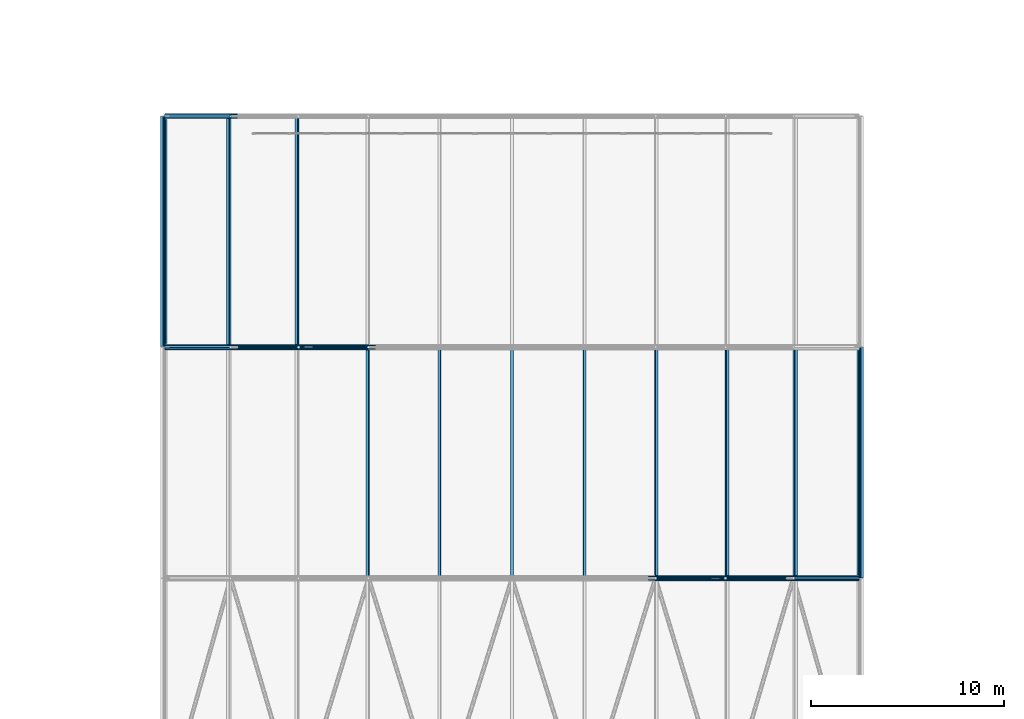
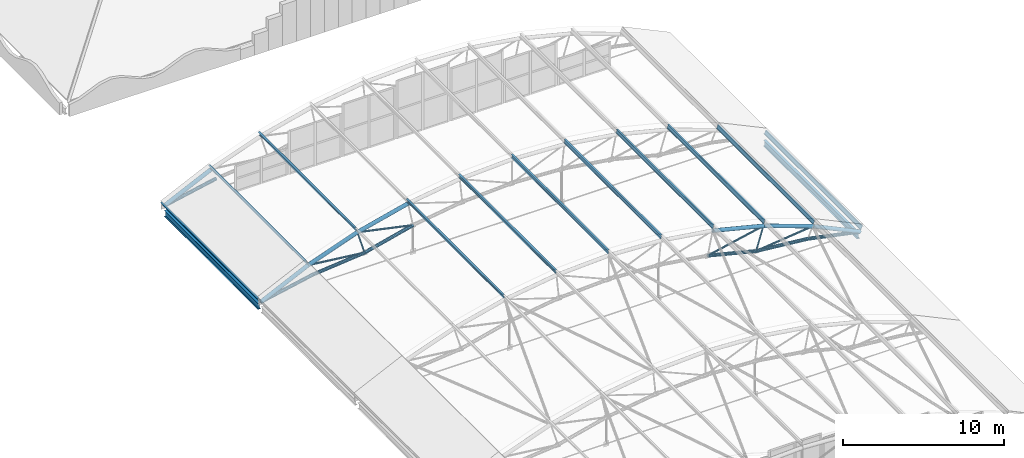
# One storey, part 216 of 321: 31 members, 2 beams.
"""IFC4 building model written with IfcOpenShell, lengths in metres."""

from ifc_helpers import new_model, si_unit, direction, frame, origin, origin_2d, place, context, subcontext, project, spatial, hollow_circle, i_section, extrude, material, material_profile, profile_set, type_object, element, save


model = new_model("IFC4")

# Units and contexts
model_context = context("Model", 3, precision=1e-05, world=origin(), true_north=direction((0.0, 1.0)))
body_context = subcontext(model_context, "Body", "Model", "MODEL_VIEW")
ifc_project = project(units=[si_unit("LENGTHUNIT", "METRE"), si_unit("AREAUNIT", "SQUARE_METRE"), si_unit("VOLUMEUNIT", "CUBIC_METRE"), si_unit("PLANEANGLEUNIT", "RADIAN"), si_unit("MASSUNIT", "GRAM", prefix="KILO")], contexts=[model_context])

# Site, building, storey
site_placement = place(None, origin())
site = spatial("IfcSite", under=ifc_project, at=site_placement, CompositionType="ELEMENT")
building_placement = place(site_placement, origin())
building = spatial("IfcBuilding", under=site, at=building_placement, Name="Ravi Spectrum Wholesale Market", CompositionType="ELEMENT")
storey_placement = place(building_placement, frame((0.0, 0.0, 10.800048828125)))
storey = spatial("IfcBuildingStorey", under=building, at=storey_placement, Name="L02", CompositionType="ELEMENT", Elevation=10.800048828125)

# Members
ifc_material_1 = material(Name="Steel S355", Category="steel")
ifc_material_profile_1 = material_profile(ifc_material_1, hollow_circle(Radius=0.05712890625, WallThickness=0.00390625, at=origin_2d()))
ifc_profile_set_1 = profile_set([ifc_material_profile_1], Name="Steel S355")
member_type_1 = type_object("IfcMemberType", Name="CHS 114.3x4 post", PredefinedType="POST", material=ifc_profile_set_1)
for number, where, z_axis, x_axis, name in (
    (1, (191.083251953125, 162.0, 2.859130859375), (-0.28969871245, 0.0, -0.957117890338), (0.0, -1.0, 0.0), "H3-MB-L02-108"),
    (2, (168.916748046875, 174.0, 2.859130859375), (0.28969871245, 0.0, -0.957117890338), (0.0, 1.0, 0.0), "H3-MB-L02-142"),
):
    element("IfcMember", number, at=place(storey_placement, frame(where, z_axis=z_axis, x_axis=x_axis)), inside=storey, type_object=member_type_1, Name=name, PredefinedType="POST", context=body_context, shape_type="SweptSolid", body=[
        extrude(hollow_circle(Radius=0.05712890625, WallThickness=0.00390625, at=origin_2d()), origin(), (0.0, 0.0, 1.0), 1.800048828125),
    ])
ifc_material_2 = material(Name="Steel S355", Category="steel")
ifc_material_profile_2 = material_profile(ifc_material_2, hollow_circle(Radius=0.06982421875, WallThickness=0.0048828125, at=origin_2d()))
ifc_profile_set_2 = profile_set([ifc_material_profile_2], Name="Steel S355")
member_type_2 = type_object("IfcMemberType", Name="CHS 139.7x5 brace", PredefinedType="BRACE", material=ifc_profile_set_2)
for number, where, z_axis, x_axis, name in (
    (3, (191.083251953125, 162.0, 2.859130859375), (-0.977654929292, 0.0, -0.210216172618), (0.0, -1.0, 0.0), "H3-MB-L02-116"),
    (4, (194.61181640625, 162.0, 1.59912109375), (-0.993531900469, 0.0, -0.113553347597), (0.0, -1.0, 0.0), "H3-MB-L02-117"),
    (5, (165.38818359375, 174.0, 1.59912109375), (0.993531900469, 0.0, -0.113553347597), (0.0, 1.0, 0.0), "H3-MB-L02-150"),
    (6, (168.916748046875, 174.0, 2.859130859375), (0.977654929292, 0.0, -0.210216172618), (0.0, 1.0, 0.0), "H3-MB-L02-151"),
):
    element("IfcMember", number, at=place(storey_placement, frame(where, z_axis=z_axis, x_axis=x_axis)), inside=storey, type_object=member_type_2, Name=name, PredefinedType="BRACE", context=body_context, shape_type="SweptSolid", body=[
        extrude(hollow_circle(Radius=0.06982421875, WallThickness=0.0048828125, at=origin_2d()), origin(), (0.0, 0.0, 1.0), 4.076416015625),
    ])
ifc_material_3 = material(Name="Steel S355", Category="steel")
ifc_material_profile_3 = material_profile(ifc_material_3, hollow_circle(Radius=0.122314453125, WallThickness=0.008056640625, at=origin_2d()))
ifc_profile_set_3 = profile_set([ifc_material_profile_3], Name="Steel S355")
member_type_3 = type_object("IfcMemberType", Name="CHS 244.5x8 chord", PredefinedType="CHORD", material=ifc_profile_set_3)
member_1_placement = place(storey_placement, frame((187.097900390625, 162.0, 2.002197265625), z_axis=(0.970142500145, 0.0, -0.242535625036), x_axis=(0.0, 1.0, 0.0)))
element("IfcMember", 7, at=member_1_placement, inside=storey, type_object=member_type_3, Name="H3-MB-L02-098", PredefinedType="CHORD", context=body_context, shape_type="SweptSolid", body=[
    extrude(hollow_circle(Radius=0.122314453125, WallThickness=0.008056640625, at=origin_2d()), origin(), (0.0, 0.0, 1.0), 3.570556640625),
])
member_2_placement = place(storey_placement, frame((190.561767578125, 162.0, 1.13623046875), z_axis=(0.995082518714, 0.0, -0.099049386415), x_axis=(0.0, 1.0, 0.0)))
element("IfcMember", 8, at=member_2_placement, inside=storey, type_object=member_type_3, Name="H3-MB-L02-099", PredefinedType="CHORD", context=body_context, shape_type="SweptSolid", body=[
    extrude(hollow_circle(Radius=0.122314453125, WallThickness=0.008056640625, at=origin_2d()), origin(), (0.0, 0.0, 1.0), 3.724365234375),
])
for number, where, z_axis, x_axis, name in (
    (9, (194.267822265625, 162.0, 0.767333984375), (0.979511723372, 0.0, -0.201387148987), (0.0, 1.0, 0.0), "H3-MB-L02-100"),
    (10, (162.0, 174.0, 0.0), (0.979511723372, 0.0, 0.201387148987), (0.0, 1.0, 0.0), "H3-MB-L02-131"),
):
    element("IfcMember", number, at=place(storey_placement, frame(where, z_axis=z_axis, x_axis=x_axis)), inside=storey, type_object=member_type_3, Name=name, PredefinedType="CHORD", context=body_context, shape_type="SweptSolid", body=[
        extrude(hollow_circle(Radius=0.122314453125, WallThickness=0.008056640625, at=origin_2d()), origin(), (0.0, 0.0, 1.0), 3.810302734375),
    ])
member_3_placement = place(storey_placement, frame((165.732177734375, 174.0, 0.767333984375), z_axis=(0.995082518714, 0.0, 0.099049386415), x_axis=(0.0, 1.0, 0.0)))
element("IfcMember", 11, at=member_3_placement, inside=storey, type_object=member_type_3, Name="H3-MB-L02-132", PredefinedType="CHORD", context=body_context, shape_type="SweptSolid", body=[
    extrude(hollow_circle(Radius=0.122314453125, WallThickness=0.008056640625, at=origin_2d()), origin(), (0.0, 0.0, 1.0), 3.724365234375),
])
member_4_placement = place(storey_placement, frame((169.438232421875, 174.0, 1.13623046875), z_axis=(0.970142500145, 0.0, 0.242535625036), x_axis=(0.0, 1.0, 0.0)))
element("IfcMember", 12, at=member_4_placement, inside=storey, type_object=member_type_3, Name="H3-MB-L02-133", PredefinedType="CHORD", context=body_context, shape_type="SweptSolid", body=[
    extrude(hollow_circle(Radius=0.122314453125, WallThickness=0.008056640625, at=origin_2d()), origin(), (0.0, 0.0, 1.0), 3.570556640625),
])
member_5_placement = place(storey_placement, frame((162.0, 186.0, 0.0), z_axis=(0.979511723372, 0.0, 0.201387148987), x_axis=(0.0, 1.0, 0.0)))
element("IfcMember", 13, at=member_5_placement, inside=storey, type_object=member_type_3, Name="H3-MB-L02-171", PredefinedType="CHORD", context=body_context, shape_type="SweptSolid", body=[
    extrude(hollow_circle(Radius=0.122314453125, WallThickness=0.008056640625, at=origin_2d()), origin(), (0.0, 0.0, 1.0), 3.810302734375),
])
ifc_material_4 = material(Name="Steel S355", Category="steel")
ifc_material_profile_4 = material_profile(ifc_material_4, hollow_circle(Radius=0.136474609375, WallThickness=0.010009765625, at=origin_2d()))
ifc_profile_set_4 = profile_set([ifc_material_profile_4], Name="Steel S355")
member_type_4 = type_object("IfcMemberType", Name="CHS 273x10 chord", PredefinedType="CHORD", material=ifc_profile_set_4)
member_6_placement = place(storey_placement, frame((187.448486328125, 162.0, 3.767822265625), z_axis=(0.970142500145, 0.0, -0.242535625036), x_axis=(0.0, 1.0, 0.0)))
element("IfcMember", 14, at=member_6_placement, inside=storey, type_object=member_type_4, Name="H3-MB-L02-088", PredefinedType="CHORD", context=body_context, shape_type="SweptSolid", body=[
    extrude(hollow_circle(Radius=0.136474609375, WallThickness=0.010009765625, at=origin_2d()), origin(), (0.0, 0.0, 1.0), 3.74658203125),
])
member_7_placement = place(storey_placement, frame((191.083251953125, 162.0, 2.859130859375), z_axis=(0.941758126801, 0.0, -0.336290990965), x_axis=(0.0, 1.0, 0.0)))
element("IfcMember", 15, at=member_7_placement, inside=storey, type_object=member_type_4, Name="H3-MB-L02-089", PredefinedType="CHORD", context=body_context, shape_type="SweptSolid", body=[
    extrude(hollow_circle(Radius=0.136474609375, WallThickness=0.010009765625, at=origin_2d()), origin(), (0.0, 0.0, 1.0), 3.746826171875),
])
for number, where, z_axis, x_axis, name in (
    (16, (194.61181640625, 162.0, 1.59912109375), (0.904336690514, 0.0, -0.426819809978), (0.0, 1.0, 0.0), "H3-MB-L02-090"),
    (17, (162.0, 174.0, 0.0), (0.904336690514, 0.0, 0.426819809978), (0.0, 1.0, 0.0), "H3-MB-L02-121"),
):
    element("IfcMember", number, at=place(storey_placement, frame(where, z_axis=z_axis, x_axis=x_axis)), inside=storey, type_object=member_type_4, Name=name, PredefinedType="CHORD", context=body_context, shape_type="SweptSolid", body=[
        extrude(hollow_circle(Radius=0.136474609375, WallThickness=0.010009765625, at=origin_2d()), origin(), (0.0, 0.0, 1.0), 3.74658203125),
    ])
member_8_placement = place(storey_placement, frame((165.38818359375, 174.0, 1.59912109375), z_axis=(0.941758126801, 0.0, 0.336290990965), x_axis=(0.0, 1.0, 0.0)))
element("IfcMember", 18, at=member_8_placement, inside=storey, type_object=member_type_4, Name="H3-MB-L02-122", PredefinedType="CHORD", context=body_context, shape_type="SweptSolid", body=[
    extrude(hollow_circle(Radius=0.136474609375, WallThickness=0.010009765625, at=origin_2d()), origin(), (0.0, 0.0, 1.0), 3.746826171875),
])
for number, where, z_axis, x_axis, name in (
    (19, (168.916748046875, 174.0, 2.859130859375), (0.970142500145, 0.0, 0.242535625036), (0.0, 1.0, 0.0), "H3-MB-L02-123"),
    (20, (162.0, 186.0, 0.0), (0.904336690514, 0.0, 0.426819809978), (0.0, 1.0, 0.0), "H3-MB-L02-161"),
):
    element("IfcMember", number, at=place(storey_placement, frame(where, z_axis=z_axis, x_axis=x_axis)), inside=storey, type_object=member_type_4, Name=name, PredefinedType="CHORD", context=body_context, shape_type="SweptSolid", body=[
        extrude(hollow_circle(Radius=0.136474609375, WallThickness=0.010009765625, at=origin_2d()), origin(), (0.0, 0.0, 1.0), 3.74658203125),
    ])
ifc_material_5 = material(Name="Steel S355", Category="steel")
ifc_material_profile_5 = material_profile(ifc_material_5, i_section(OverallWidth=0.135009765625, OverallDepth=0.27001953125, WebThickness=0.006591796875, FlangeThickness=0.01025390625, at=origin_2d()))
ifc_profile_set_5 = profile_set([ifc_material_profile_5], Name="Steel S355")
member_type_5 = type_object("IfcMemberType", Name="IPE 270 purlin", PredefinedType="PURLIN", material=ifc_profile_set_5)
for number, where, z_axis, x_axis, name in (
    (21, (172.498779296875, 162.0, 4.033935546875), (0.0, 1.0, 0.0), (-0.980856735855, 0.0, -0.194730746744), "H3-MB-L02-226"),
    (22, (176.231201171875, 162.0, 4.586669921875), (0.0, 1.0, 0.0), (-0.995202677663, 0.0, -0.097834709449), "H3-MB-L02-227"),
    (23, (180.0, 162.0, 4.771484375), (0.0, 1.0, 0.0), (-1.0, 0.0, 0.0), "H3-MB-L02-228"),
    (24, (183.768798828125, 162.0, 4.586669921875), (0.0, 1.0, 0.0), (-0.995202677663, 0.0, 0.097834709449), "H3-MB-L02-229"),
    (25, (187.501220703125, 162.0, 4.033935546875), (0.0, 1.0, 0.0), (-0.980856735855, 0.0, 0.194730746744), "H3-MB-L02-230"),
    (26, (191.161865234375, 162.0, 3.118896484375), (0.0, 1.0, 0.0), (-0.957099823898, 0.0, 0.289758394347), "H3-MB-L02-231"),
    (27, (194.71533203125, 162.0, 1.85009765625), (0.0, 1.0, 0.0), (-0.924159872545, 0.0, 0.382005929244), "H3-MB-L02-232"),
    (28, (198.127685546875, 162.0, 0.239501953125), (0.0, 1.0, 0.0), (-0.88235294065, 0.0, 0.470588236282), "H3-MB-L02-233"),
    (29, (161.872314453125, 174.0, 0.239501953125), (0.0, 1.0, 0.0), (-0.88235294065, 0.0, -0.470588236282), "H3-MB-L02-234"),
    (30, (165.28466796875, 174.0, 1.85009765625), (0.0, 1.0, 0.0), (-0.924159872545, 0.0, -0.382005929244), "H3-MB-L02-235"),
    (31, (168.838134765625, 174.0, 3.118896484375), (0.0, 1.0, 0.0), (-0.957099823898, 0.0, -0.289758394347), "H3-MB-L02-236"),
):
    element("IfcMember", number, at=place(storey_placement, frame(where, z_axis=z_axis, x_axis=x_axis)), inside=storey, type_object=member_type_5, Name=name, PredefinedType="PURLIN", context=body_context, shape_type="SweptSolid", body=[
        extrude(i_section(OverallWidth=0.135009765625, OverallDepth=0.27001953125, WebThickness=0.006591796875, FlangeThickness=0.01025390625, at=origin_2d()), origin(), (0.0, 0.0, 1.0), 12.0),
    ])

# Beams
ifc_material_6 = material(Name="Steel S355", Category="steel")
ifc_material_profile_6 = material_profile(ifc_material_6, i_section(OverallWidth=0.18994140625, OverallDepth=0.449951171875, WebThickness=0.009521484375, FlangeThickness=0.0146484375, at=origin_2d()))
ifc_profile_set_6 = profile_set([ifc_material_profile_6], Name="Steel S355")
beam_type = type_object("IfcBeamType", Name="IPE 450 girder", PredefinedType="BEAM", material=ifc_profile_set_6)
for number, where, z_axis, x_axis, name in (
    (32, (162.0, 174.177734375, -0.425048828125), (0.0, 1.0, 0.0), (-1.0, 0.0, 0.0), "H3-BM-L02-004"),
    (33, (198.0, 162.177734375, -0.425048828125), (0.0, 1.0, 0.0), (-1.0, 0.0, 0.0), "H3-BM-L02-007"),
):
    element("IfcBeam", number, at=place(storey_placement, frame(where, z_axis=z_axis, x_axis=x_axis)), inside=storey, type_object=beam_type, Name=name, PredefinedType="BEAM", context=body_context, shape_type="SweptSolid", body=[
        extrude(i_section(OverallWidth=0.18994140625, OverallDepth=0.449951171875, WebThickness=0.009521484375, FlangeThickness=0.0146484375, at=origin_2d()), origin(), (0.0, 0.0, 1.0), 11.64453125),
    ])

save(model, "model.ifc")
